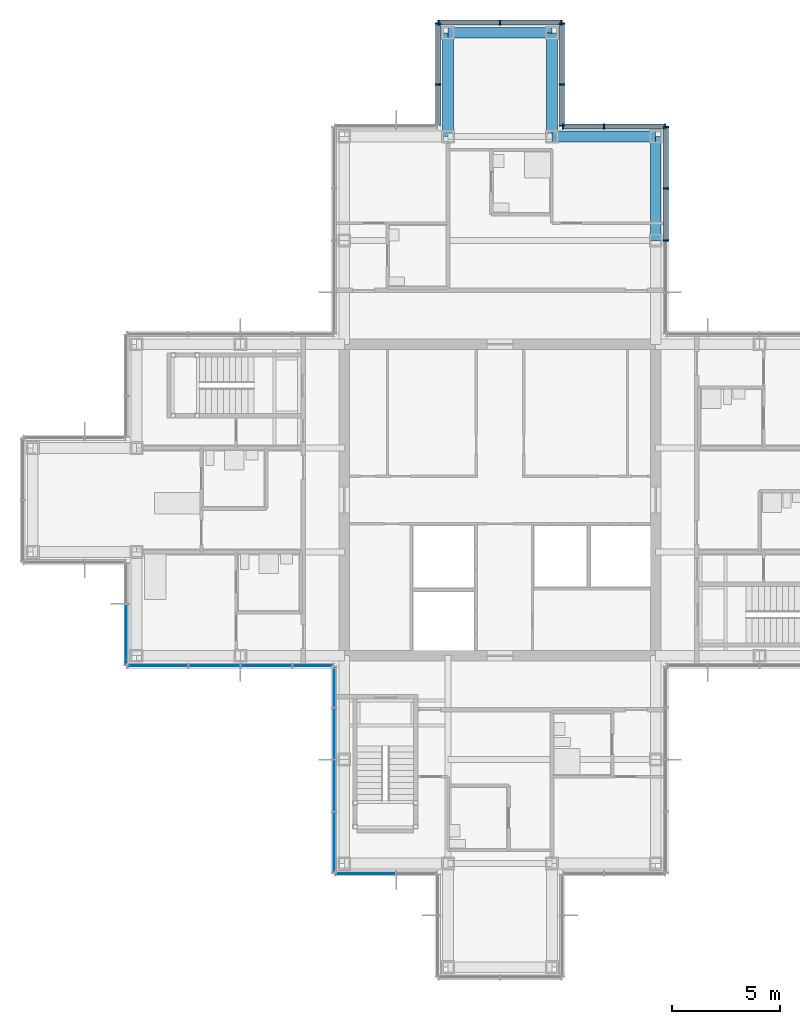
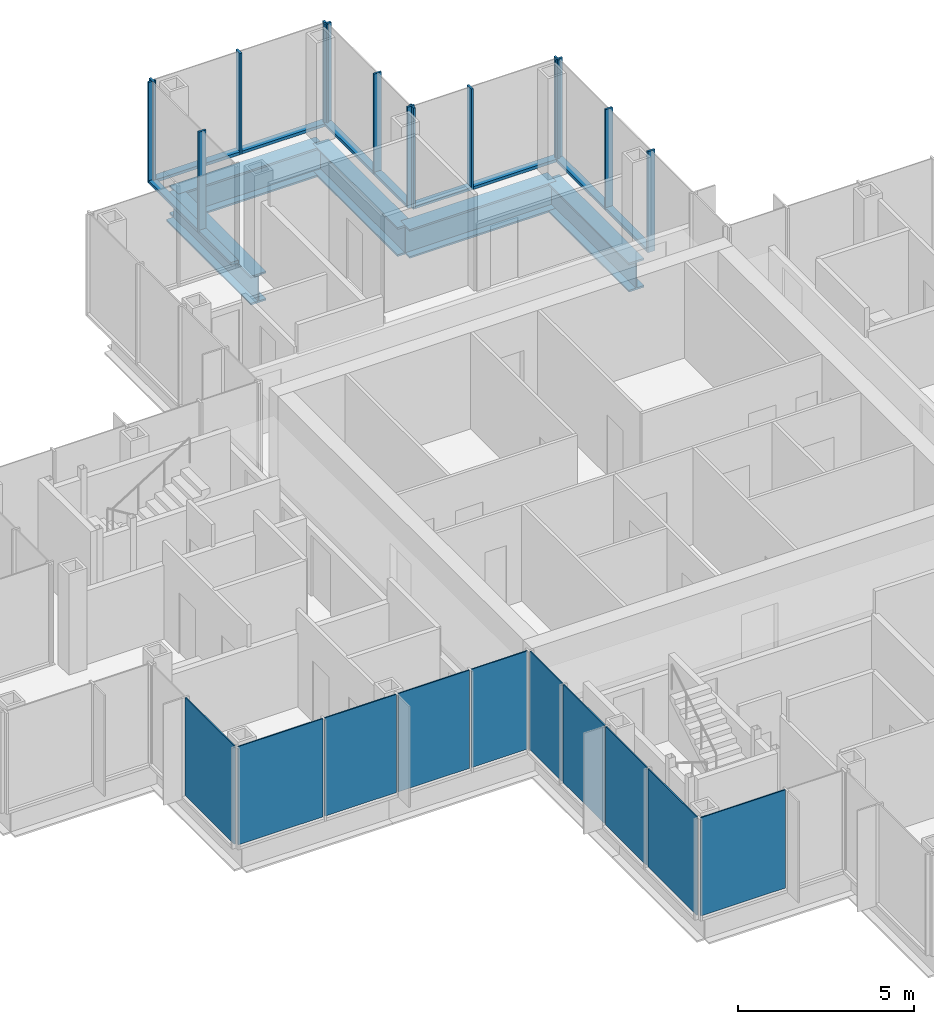
# One storey, part 9 of 17: 24 members, 10 plates, 5 beams, 9 elements without a shape of their own.
"""IFC4 building model written with IfcOpenShell, lengths in metres."""

from ifc_helpers import new_model, si_unit, direction, frame, origin, origin_2d, place, context, subcontext, project, spatial, rectangle, i_section, extrude, material, layer, layer_set, material_profile, profile_set, type_object, element, aggregate, save


model = new_model("IFC4")

# Units and contexts
model_context = context("Model", 3, precision=1e-05, world=origin(), true_north=direction((0.0, 1.0)))
body_context = subcontext(model_context, "Body", "Model", "MODEL_VIEW")
ifc_project = project(units=[si_unit("LENGTHUNIT", "METRE"), si_unit("AREAUNIT", "SQUARE_METRE"), si_unit("VOLUMEUNIT", "CUBIC_METRE"), si_unit("PLANEANGLEUNIT", "RADIAN"), si_unit("MASSUNIT", "GRAM", prefix="KILO")], contexts=[model_context])

# Site, building, storey
site_placement = place(None, origin())
site = spatial("IfcSite", under=ifc_project, at=site_placement, CompositionType="ELEMENT")
building_placement = place(site_placement, origin())
building = spatial("IfcBuilding", under=site, at=building_placement, Name="Kvirike Care Tower", CompositionType="ELEMENT")
storey_placement = place(building_placement, frame((0.0, 0.0, 172.5)))
storey = spatial("IfcBuildingStorey", under=building, at=storey_placement, Name="L47", CompositionType="ELEMENT", Elevation=172.5)

# Curtain wall, members
ifc_material_1 = material(Name="Anodised aluminium stick system", Category="aluminium")
curtain_wall_type = type_object("IfcCurtainWallType", Name="CW-C STICK CURTAIN WALL", PredefinedType="NOTDEFINED", material=ifc_material_1)
curtain_wall_1_placement = place(storey_placement, origin())
curtain_wall_1 = element("IfcCurtainWall", 1, at=curtain_wall_1_placement, inside=storey, type_object=curtain_wall_type, Name="Curtain wall L47 face 8", PredefinedType="NOTDEFINED")
ifc_material_2 = material(Name="Bronze anodised aluminium mullion", Category="aluminium")
ifc_material_profile_1 = material_profile(ifc_material_2, rectangle(XDim=0.06494140625, YDim=0.239990234375, at=origin_2d()), Name="CW-C MULLION 65x240")
ifc_profile_set_1 = profile_set([ifc_material_profile_1], Name="Bronze anodised aluminium mullion")
member_type_1 = type_object("IfcMemberType", Name="CW-C MULLION 65x240", PredefinedType="MULLION", material=ifc_profile_set_1)
member_1_placement = place(storey_placement, frame((29.27001953125, 48.0, 0.0), z_axis=(0.0, 0.0, 1.0), x_axis=(0.0, 1.0, 0.0)))
member_1 = element("IfcMember", 2, at=member_1_placement, type_object=member_type_1, Name="CW-C mullion L47 face 8.3", PredefinedType="MULLION", context=body_context, shape_type="SweptSolid", body=[
    extrude(rectangle(XDim=0.06494140625, YDim=0.239990234375, at=origin_2d()), origin(), (0.0, 0.0, 1.0), 3.5),
])
member_2_placement = place(storey_placement, frame((29.27001953125, 50.39990234375, 0.0), z_axis=(0.0, 0.0, 1.0), x_axis=(0.0, 1.0, 0.0)))
member_2 = element("IfcMember", 3, at=member_2_placement, type_object=member_type_1, Name="CW-C mullion L47 face 8.4", PredefinedType="MULLION", context=body_context, shape_type="SweptSolid", body=[
    extrude(rectangle(XDim=0.06494140625, YDim=0.239990234375, at=origin_2d()), origin(), (0.0, 0.0, 1.0), 3.5),
])
member_3_placement = place(storey_placement, frame((29.27001953125, 53.237548828125, 0.0), z_axis=(0.0, 0.0, 1.0), x_axis=(0.0, 1.0, 0.0)))
member_3 = element("IfcMember", 4, at=member_3_placement, type_object=member_type_1, Name="CW-C mullion L47 face 8.5", PredefinedType="MULLION", context=body_context, shape_type="SweptSolid", body=[
    extrude(rectangle(XDim=0.06494140625, YDim=0.239990234375, at=origin_2d()), origin(), (0.0, 0.0, 1.0), 3.5),
])

curtain_wall_2_placement = place(storey_placement, origin())
curtain_wall_2 = element("IfcCurtainWall", 5, at=curtain_wall_2_placement, inside=storey, type_object=curtain_wall_type, Name="Curtain wall L47 face 9", PredefinedType="NOTDEFINED")
member_4_placement = place(storey_placement, frame((29.237548828125, 53.27001953125, 0.0), z_axis=(0.0, 0.0, 1.0), x_axis=(-1.0, 0.0, 0.0)))
member_4 = element("IfcMember", 6, at=member_4_placement, type_object=member_type_1, Name="CW-C mullion L47 face 9.1", PredefinedType="MULLION", context=body_context, shape_type="SweptSolid", body=[
    extrude(rectangle(XDim=0.06494140625, YDim=0.239990234375, at=origin_2d()), origin(), (0.0, 0.0, 1.0), 3.5),
])
member_5_placement = place(storey_placement, frame((26.39990234375, 53.27001953125, 0.0), z_axis=(0.0, 0.0, 1.0), x_axis=(-1.0, 0.0, 0.0)))
member_5 = element("IfcMember", 7, at=member_5_placement, type_object=member_type_1, Name="CW-C mullion L47 face 9.2", PredefinedType="MULLION", context=body_context, shape_type="SweptSolid", body=[
    extrude(rectangle(XDim=0.06494140625, YDim=0.239990234375, at=origin_2d()), origin(), (0.0, 0.0, 1.0), 3.5),
])
member_6_placement = place(storey_placement, frame((24.50244140625, 53.27001953125, 0.0), z_axis=(0.0, 0.0, 1.0), x_axis=(-1.0, 0.0, 0.0)))
member_6 = element("IfcMember", 8, at=member_6_placement, type_object=member_type_1, Name="CW-C mullion L47 face 9.3", PredefinedType="MULLION", context=body_context, shape_type="SweptSolid", body=[
    extrude(rectangle(XDim=0.06494140625, YDim=0.239990234375, at=origin_2d()), origin(), (0.0, 0.0, 1.0), 3.5),
])

curtain_wall_3_placement = place(storey_placement, origin())
curtain_wall_3 = element("IfcCurtainWall", 9, at=curtain_wall_3_placement, inside=storey, type_object=curtain_wall_type, Name="Curtain wall L47 face 10", PredefinedType="NOTDEFINED")
member_7_placement = place(storey_placement, frame((24.469970703125, 53.302490234375, 0.0), z_axis=(0.0, 0.0, 1.0), x_axis=(0.0, 1.0, 0.0)))
member_7 = element("IfcMember", 10, at=member_7_placement, type_object=member_type_1, Name="CW-C mullion L47 face 10.1", PredefinedType="MULLION", context=body_context, shape_type="SweptSolid", body=[
    extrude(rectangle(XDim=0.06494140625, YDim=0.239990234375, at=origin_2d()), origin(), (0.0, 0.0, 1.0), 3.5),
])
member_8_placement = place(storey_placement, frame((24.469970703125, 55.199951171875, 0.0), z_axis=(0.0, 0.0, 1.0), x_axis=(0.0, 1.0, 0.0)))
member_8 = element("IfcMember", 11, at=member_8_placement, type_object=member_type_1, Name="CW-C mullion L47 face 10.2", PredefinedType="MULLION", context=body_context, shape_type="SweptSolid", body=[
    extrude(rectangle(XDim=0.06494140625, YDim=0.239990234375, at=origin_2d()), origin(), (0.0, 0.0, 1.0), 3.5),
])
member_9_placement = place(storey_placement, frame((24.469970703125, 58.03759765625, 0.0), z_axis=(0.0, 0.0, 1.0), x_axis=(0.0, 1.0, 0.0)))
member_9 = element("IfcMember", 12, at=member_9_placement, type_object=member_type_1, Name="CW-C mullion L47 face 10.3", PredefinedType="MULLION", context=body_context, shape_type="SweptSolid", body=[
    extrude(rectangle(XDim=0.06494140625, YDim=0.239990234375, at=origin_2d()), origin(), (0.0, 0.0, 1.0), 3.5),
])

curtain_wall_4_placement = place(storey_placement, origin())
curtain_wall_4 = element("IfcCurtainWall", 13, at=curtain_wall_4_placement, inside=storey, type_object=curtain_wall_type, Name="Curtain wall L47 face 11", PredefinedType="NOTDEFINED")
member_10_placement = place(storey_placement, frame((24.4375, 58.070068359375, 0.0), z_axis=(0.0, 0.0, 1.0), x_axis=(-1.0, 0.0, 0.0)))
member_10 = element("IfcMember", 14, at=member_10_placement, type_object=member_type_1, Name="CW-C mullion L47 face 11.1", PredefinedType="MULLION", context=body_context, shape_type="SweptSolid", body=[
    extrude(rectangle(XDim=0.06494140625, YDim=0.239990234375, at=origin_2d()), origin(), (0.0, 0.0, 1.0), 3.5),
])
member_11_placement = place(storey_placement, frame((21.60009765625, 58.070068359375, 0.0), z_axis=(0.0, 0.0, 1.0), x_axis=(-1.0, 0.0, 0.0)))
member_11 = element("IfcMember", 15, at=member_11_placement, type_object=member_type_1, Name="CW-C mullion L47 face 11.2", PredefinedType="MULLION", context=body_context, shape_type="SweptSolid", body=[
    extrude(rectangle(XDim=0.06494140625, YDim=0.239990234375, at=origin_2d()), origin(), (0.0, 0.0, 1.0), 3.5),
])
member_12_placement = place(storey_placement, frame((18.762451171875, 58.070068359375, 0.0), z_axis=(0.0, 0.0, 1.0), x_axis=(-1.0, 0.0, 0.0)))
member_12 = element("IfcMember", 16, at=member_12_placement, type_object=member_type_1, Name="CW-C mullion L47 face 11.3", PredefinedType="MULLION", context=body_context, shape_type="SweptSolid", body=[
    extrude(rectangle(XDim=0.06494140625, YDim=0.239990234375, at=origin_2d()), origin(), (0.0, 0.0, 1.0), 3.5),
])

curtain_wall_5_placement = place(storey_placement, origin())
curtain_wall_5 = element("IfcCurtainWall", 17, at=curtain_wall_5_placement, inside=storey, type_object=curtain_wall_type, Name="Curtain wall L47 face 12", PredefinedType="NOTDEFINED")
member_13_placement = place(storey_placement, frame((18.72998046875, 58.03759765625, 0.0), z_axis=(0.0, 0.0, 1.0), x_axis=(0.0, -1.0, 0.0)))
member_13 = element("IfcMember", 18, at=member_13_placement, type_object=member_type_1, Name="CW-C mullion L47 face 12.1", PredefinedType="MULLION", context=body_context, shape_type="SweptSolid", body=[
    extrude(rectangle(XDim=0.06494140625, YDim=0.239990234375, at=origin_2d()), origin(), (0.0, 0.0, 1.0), 3.5),
])
member_14_placement = place(storey_placement, frame((18.72998046875, 55.199951171875, 0.0), z_axis=(0.0, 0.0, 1.0), x_axis=(0.0, -1.0, 0.0)))
member_14 = element("IfcMember", 19, at=member_14_placement, type_object=member_type_1, Name="CW-C mullion L47 face 12.2", PredefinedType="MULLION", context=body_context, shape_type="SweptSolid", body=[
    extrude(rectangle(XDim=0.06494140625, YDim=0.239990234375, at=origin_2d()), origin(), (0.0, 0.0, 1.0), 3.5),
])

# Member
ifc_material_3 = material(Name="Bronze anodised aluminium transom", Category="aluminium")
ifc_material_profile_2 = material_profile(ifc_material_3, rectangle(XDim=0.239990234375, YDim=0.10009765625, at=origin_2d()), Name="CW-C TRANSOM 240x100")
ifc_profile_set_2 = profile_set([ifc_material_profile_2], Name="Bronze anodised aluminium transom")
member_type_2 = type_object("IfcMemberType", Name="CW-C TRANSOM 240x100", PredefinedType="USERDEFINED", material=ifc_profile_set_2)
member_15_placement = place(storey_placement, frame((29.27001953125, 48.032470703125, 0.050048828125), z_axis=(0.0, 1.0, 0.0), x_axis=(-1.0, 0.0, 0.0)))
member_15 = element("IfcMember", 20, at=member_15_placement, type_object=member_type_2, Name="CW-C sill transom L47 face 8.3", ObjectType="TRANSOM", PredefinedType="USERDEFINED", context=body_context, shape_type="SweptSolid", body=[
    extrude(rectangle(XDim=0.239990234375, YDim=0.10009765625, at=origin_2d()), origin(), (0.0, 0.0, 1.0), 2.3349609375),
])

member_16_placement = place(storey_placement, frame((29.27001953125, 50.4326171875, 0.050048828125), z_axis=(0.0, 1.0, 0.0), x_axis=(-1.0, 0.0, 0.0)))
member_16 = element("IfcMember", 21, at=member_16_placement, type_object=member_type_2, Name="CW-C sill transom L47 face 8.4", ObjectType="TRANSOM", PredefinedType="USERDEFINED", context=body_context, shape_type="SweptSolid", body=[
    extrude(rectangle(XDim=0.239990234375, YDim=0.10009765625, at=origin_2d()), origin(), (0.0, 0.0, 1.0), 2.7724609375),
])

aggregate(curtain_wall_1, [member_1, member_2, member_3, member_15, member_16])

member_17_placement = place(storey_placement, frame((29.205078125, 53.27001953125, 0.050048828125), z_axis=(-1.0, 0.0, 0.0), x_axis=(0.0, -1.0, 0.0)))
member_17 = element("IfcMember", 22, at=member_17_placement, type_object=member_type_2, Name="CW-C sill transom L47 face 9.1", ObjectType="TRANSOM", PredefinedType="USERDEFINED", context=body_context, shape_type="SweptSolid", body=[
    extrude(rectangle(XDim=0.239990234375, YDim=0.10009765625, at=origin_2d()), origin(), (0.0, 0.0, 1.0), 2.7724609375),
])

member_18_placement = place(storey_placement, frame((26.367431640625, 53.27001953125, 0.050048828125), z_axis=(-1.0, 0.0, 0.0), x_axis=(0.0, -1.0, 0.0)))
member_18 = element("IfcMember", 23, at=member_18_placement, type_object=member_type_2, Name="CW-C sill transom L47 face 9.2", ObjectType="TRANSOM", PredefinedType="USERDEFINED", context=body_context, shape_type="SweptSolid", body=[
    extrude(rectangle(XDim=0.239990234375, YDim=0.10009765625, at=origin_2d()), origin(), (0.0, 0.0, 1.0), 1.83251953125),
])

aggregate(curtain_wall_2, [member_4, member_5, member_6, member_17, member_18])

member_19_placement = place(storey_placement, frame((24.469970703125, 53.3349609375, 0.050048828125), z_axis=(0.0, 1.0, 0.0), x_axis=(-1.0, 0.0, 0.0)))
member_19 = element("IfcMember", 24, at=member_19_placement, type_object=member_type_2, Name="CW-C sill transom L47 face 10.1", ObjectType="TRANSOM", PredefinedType="USERDEFINED", context=body_context, shape_type="SweptSolid", body=[
    extrude(rectangle(XDim=0.239990234375, YDim=0.10009765625, at=origin_2d()), origin(), (0.0, 0.0, 1.0), 1.83251953125),
])

member_20_placement = place(storey_placement, frame((24.469970703125, 55.232421875, 0.050048828125), z_axis=(0.0, 1.0, 0.0), x_axis=(-1.0, 0.0, 0.0)))
member_20 = element("IfcMember", 25, at=member_20_placement, type_object=member_type_2, Name="CW-C sill transom L47 face 10.2", ObjectType="TRANSOM", PredefinedType="USERDEFINED", context=body_context, shape_type="SweptSolid", body=[
    extrude(rectangle(XDim=0.239990234375, YDim=0.10009765625, at=origin_2d()), origin(), (0.0, 0.0, 1.0), 2.7724609375),
])

aggregate(curtain_wall_3, [member_7, member_8, member_9, member_19, member_20])

member_21_placement = place(storey_placement, frame((24.405029296875, 58.070068359375, 0.050048828125), z_axis=(-1.0, 0.0, 0.0), x_axis=(0.0, -1.0, 0.0)))
member_21 = element("IfcMember", 26, at=member_21_placement, type_object=member_type_2, Name="CW-C sill transom L47 face 11.1", ObjectType="TRANSOM", PredefinedType="USERDEFINED", context=body_context, shape_type="SweptSolid", body=[
    extrude(rectangle(XDim=0.239990234375, YDim=0.10009765625, at=origin_2d()), origin(), (0.0, 0.0, 1.0), 2.7724609375),
])

member_22_placement = place(storey_placement, frame((21.5673828125, 58.070068359375, 0.050048828125), z_axis=(-1.0, 0.0, 0.0), x_axis=(0.0, -1.0, 0.0)))
member_22 = element("IfcMember", 27, at=member_22_placement, type_object=member_type_2, Name="CW-C sill transom L47 face 11.2", ObjectType="TRANSOM", PredefinedType="USERDEFINED", context=body_context, shape_type="SweptSolid", body=[
    extrude(rectangle(XDim=0.239990234375, YDim=0.10009765625, at=origin_2d()), origin(), (0.0, 0.0, 1.0), 2.7724609375),
])

aggregate(curtain_wall_4, [member_10, member_11, member_12, member_21, member_22])

member_23_placement = place(storey_placement, frame((18.72998046875, 58.0048828125, 0.050048828125), z_axis=(0.0, -1.0, 0.0), x_axis=(1.0, 0.0, 0.0)))
member_23 = element("IfcMember", 28, at=member_23_placement, type_object=member_type_2, Name="CW-C sill transom L47 face 12.1", ObjectType="TRANSOM", PredefinedType="USERDEFINED", context=body_context, shape_type="SweptSolid", body=[
    extrude(rectangle(XDim=0.239990234375, YDim=0.10009765625, at=origin_2d()), origin(), (0.0, 0.0, 1.0), 2.7724609375),
])

member_24_placement = place(storey_placement, frame((18.72998046875, 55.16748046875, 0.050048828125), z_axis=(0.0, -1.0, 0.0), x_axis=(1.0, 0.0, 0.0)))
member_24 = element("IfcMember", 29, at=member_24_placement, type_object=member_type_2, Name="CW-C sill transom L47 face 12.2", ObjectType="TRANSOM", PredefinedType="USERDEFINED", context=body_context, shape_type="SweptSolid", body=[
    extrude(rectangle(XDim=0.239990234375, YDim=0.10009765625, at=origin_2d()), origin(), (0.0, 0.0, 1.0), 1.83251953125),
])

aggregate(curtain_wall_5, [member_13, member_14, member_23, member_24])

# Beams
ifc_material_4 = material(Name="Steel S355", Category="steel")
ifc_material_profile_3 = material_profile(ifc_material_4, i_section(OverallWidth=0.5, OverallDepth=1.0, WebThickness=0.030029296875, FlangeThickness=0.06005859375, at=origin_2d()), Name="PG 1000x500x30x60")
ifc_profile_set_3 = profile_set([ifc_material_profile_3], Name="Steel S355")
beam_type = type_object("IfcBeamType", Name="SPANDREL PG 1000x500x30x60", PredefinedType="SPANDREL", material=ifc_profile_set_3)
for number, where, z_axis, x_axis, name in (
    (30, (24.0, 52.800048828125, -0.669921875), (1.0, 0.0, 0.0), (0.0, 1.0, 0.0), "Spandrel M8-M9 L47"),
    (31, (19.199951171875, 57.60009765625, -0.669921875), (1.0, 0.0, 0.0), (0.0, 1.0, 0.0), "Spandrel N7-N8 L47"),
    (32, (19.199951171875, 52.800048828125, -0.669921875), (0.0, 1.0, 0.0), (-1.0, 0.0, 0.0), "Spandrel M7-N7 L47"),
    (33, (24.0, 52.800048828125, -0.669921875), (0.0, 1.0, 0.0), (-1.0, 0.0, 0.0), "Spandrel M8-N8 L47"),
    (34, (28.800048828125, 48.0, -0.669921875), (0.0, 1.0, 0.0), (-1.0, 0.0, 0.0), "Spandrel L9-M9 L47"),
):
    element("IfcBeam", number, at=place(storey_placement, frame(where, z_axis=z_axis, x_axis=x_axis)), inside=storey, type_object=beam_type, Name=name, PredefinedType="SPANDREL", context=body_context, shape_type="SweptSolid", body=[
        extrude(i_section(OverallWidth=0.5, OverallDepth=1.0, WebThickness=0.030029296875, FlangeThickness=0.06005859375, at=origin_2d()), origin(), (0.0, 0.0, 1.0), 4.800048828125),
    ])

# Curtain wall, plate
curtain_wall_6_placement = place(storey_placement, origin())
curtain_wall_6 = element("IfcCurtainWall", 35, at=curtain_wall_6_placement, inside=storey, type_object=curtain_wall_type, Name="Curtain wall L47 face 20", PredefinedType="NOTDEFINED")
ifc_material_5 = material(Name="Tinted double glazed unit", Category="glass")
ifc_layer = layer(ifc_material_5, 0.0400390625)
ifc_layer_set = layer_set([ifc_layer], Name="TINTED VISION PANEL 40")
plate_type = type_object("IfcPlateType", Name="TINTED VISION PANEL 40", PredefinedType="CURTAIN_PANEL", material=ifc_layer_set)
plate_1_placement = place(storey_placement, frame((4.330078125, 29.78125, 0.10009765625), z_axis=(0.0, 0.0, 1.0), x_axis=(0.0, -1.0, 0.0)))
plate_1 = element("IfcPlate", 36, at=plate_1_placement, type_object=plate_type, Name="CW-C panel L47 face 20.2", PredefinedType="CURTAIN_PANEL", context=body_context, shape_type="SweptSolid", body=[
    extrude(rectangle(XDim=2.7724609375, YDim=0.0400390625, at=origin_2d()), origin(), (0.0, 0.0, 1.0), 3.39990234375),
])
aggregate(curtain_wall_6, [plate_1])

# Curtain wall, plates
curtain_wall_7_placement = place(storey_placement, origin())
curtain_wall_7 = element("IfcCurtainWall", 37, at=curtain_wall_7_placement, inside=storey, type_object=curtain_wall_type, Name="Curtain wall L47 face 21", PredefinedType="NOTDEFINED")
plate_2_placement = place(storey_placement, frame((5.78125, 28.330078125, 0.10009765625), z_axis=(0.0, 0.0, 1.0), x_axis=(1.0, 0.0, 0.0)))
plate_2 = element("IfcPlate", 38, at=plate_2_placement, type_object=plate_type, Name="CW-C panel L47 face 21.1", PredefinedType="CURTAIN_PANEL", context=body_context, shape_type="SweptSolid", body=[
    extrude(rectangle(XDim=2.7724609375, YDim=0.0400390625, at=origin_2d()), origin(), (0.0, 0.0, 1.0), 3.39990234375),
])
plate_3_placement = place(storey_placement, frame((8.39990234375, 28.330078125, 0.10009765625), z_axis=(0.0, 0.0, 1.0), x_axis=(1.0, 0.0, 0.0)))
plate_3 = element("IfcPlate", 39, at=plate_3_placement, type_object=plate_type, Name="CW-C panel L47 face 21.2", PredefinedType="CURTAIN_PANEL", context=body_context, shape_type="SweptSolid", body=[
    extrude(rectangle(XDim=2.3349609375, YDim=0.0400390625, at=origin_2d()), origin(), (0.0, 0.0, 1.0), 3.39990234375),
])
plate_4_placement = place(storey_placement, frame((10.800048828125, 28.330078125, 0.10009765625), z_axis=(0.0, 0.0, 1.0), x_axis=(1.0, 0.0, 0.0)))
plate_4 = element("IfcPlate", 40, at=plate_4_placement, type_object=plate_type, Name="CW-C panel L47 face 21.3", PredefinedType="CURTAIN_PANEL", context=body_context, shape_type="SweptSolid", body=[
    extrude(rectangle(XDim=2.3349609375, YDim=0.0400390625, at=origin_2d()), origin(), (0.0, 0.0, 1.0), 3.39990234375),
])
plate_5_placement = place(storey_placement, frame((12.94873046875, 28.330078125, 0.10009765625), z_axis=(0.0, 0.0, 1.0), x_axis=(1.0, 0.0, 0.0)))
plate_5 = element("IfcPlate", 41, at=plate_5_placement, type_object=plate_type, Name="CW-C panel L47 face 21.4", PredefinedType="CURTAIN_PANEL", context=body_context, shape_type="SweptSolid", body=[
    extrude(rectangle(XDim=1.83251953125, YDim=0.0400390625, at=origin_2d()), origin(), (0.0, 0.0, 1.0), 3.39990234375),
])
aggregate(curtain_wall_7, [plate_2, plate_3, plate_4, plate_5])

curtain_wall_8_placement = place(storey_placement, origin())
curtain_wall_8 = element("IfcCurtainWall", 42, at=curtain_wall_8_placement, inside=storey, type_object=curtain_wall_type, Name="Curtain wall L47 face 22", PredefinedType="NOTDEFINED")
plate_6_placement = place(storey_placement, frame((13.929931640625, 27.3486328125, 0.10009765625), z_axis=(0.0, 0.0, 1.0), x_axis=(0.0, -1.0, 0.0)))
plate_6 = element("IfcPlate", 43, at=plate_6_placement, type_object=plate_type, Name="CW-C panel L47 face 22.1", PredefinedType="CURTAIN_PANEL", context=body_context, shape_type="SweptSolid", body=[
    extrude(rectangle(XDim=1.83251953125, YDim=0.0400390625, at=origin_2d()), origin(), (0.0, 0.0, 1.0), 3.39990234375),
])
plate_7_placement = place(storey_placement, frame((13.929931640625, 25.199951171875, 0.10009765625), z_axis=(0.0, 0.0, 1.0), x_axis=(0.0, -1.0, 0.0)))
plate_7 = element("IfcPlate", 44, at=plate_7_placement, type_object=plate_type, Name="CW-C panel L47 face 22.2", PredefinedType="CURTAIN_PANEL", context=body_context, shape_type="SweptSolid", body=[
    extrude(rectangle(XDim=2.3349609375, YDim=0.0400390625, at=origin_2d()), origin(), (0.0, 0.0, 1.0), 3.39990234375),
])
plate_8_placement = place(storey_placement, frame((13.929931640625, 22.800048828125, 0.10009765625), z_axis=(0.0, 0.0, 1.0), x_axis=(0.0, -1.0, 0.0)))
plate_8 = element("IfcPlate", 45, at=plate_8_placement, type_object=plate_type, Name="CW-C panel L47 face 22.3", PredefinedType="CURTAIN_PANEL", context=body_context, shape_type="SweptSolid", body=[
    extrude(rectangle(XDim=2.3349609375, YDim=0.0400390625, at=origin_2d()), origin(), (0.0, 0.0, 1.0), 3.39990234375),
])
plate_9_placement = place(storey_placement, frame((13.929931640625, 20.18115234375, 0.10009765625), z_axis=(0.0, 0.0, 1.0), x_axis=(0.0, -1.0, 0.0)))
plate_9 = element("IfcPlate", 46, at=plate_9_placement, type_object=plate_type, Name="CW-C panel L47 face 22.4", PredefinedType="CURTAIN_PANEL", context=body_context, shape_type="SweptSolid", body=[
    extrude(rectangle(XDim=2.7724609375, YDim=0.0400390625, at=origin_2d()), origin(), (0.0, 0.0, 1.0), 3.39990234375),
])
aggregate(curtain_wall_8, [plate_6, plate_7, plate_8, plate_9])

# Curtain wall, plate
curtain_wall_9_placement = place(storey_placement, origin())
curtain_wall_9 = element("IfcCurtainWall", 47, at=curtain_wall_9_placement, inside=storey, type_object=curtain_wall_type, Name="Curtain wall L47 face 23", PredefinedType="NOTDEFINED")
plate_10_placement = place(storey_placement, frame((15.38134765625, 18.72998046875, 0.10009765625), z_axis=(0.0, 0.0, 1.0), x_axis=(1.0, 0.0, 0.0)))
plate_10 = element("IfcPlate", 48, at=plate_10_placement, type_object=plate_type, Name="CW-C panel L47 face 23.1", PredefinedType="CURTAIN_PANEL", context=body_context, shape_type="SweptSolid", body=[
    extrude(rectangle(XDim=2.7724609375, YDim=0.0400390625, at=origin_2d()), origin(), (0.0, 0.0, 1.0), 3.39990234375),
])
aggregate(curtain_wall_9, [plate_10])

save(model, "model.ifc")
